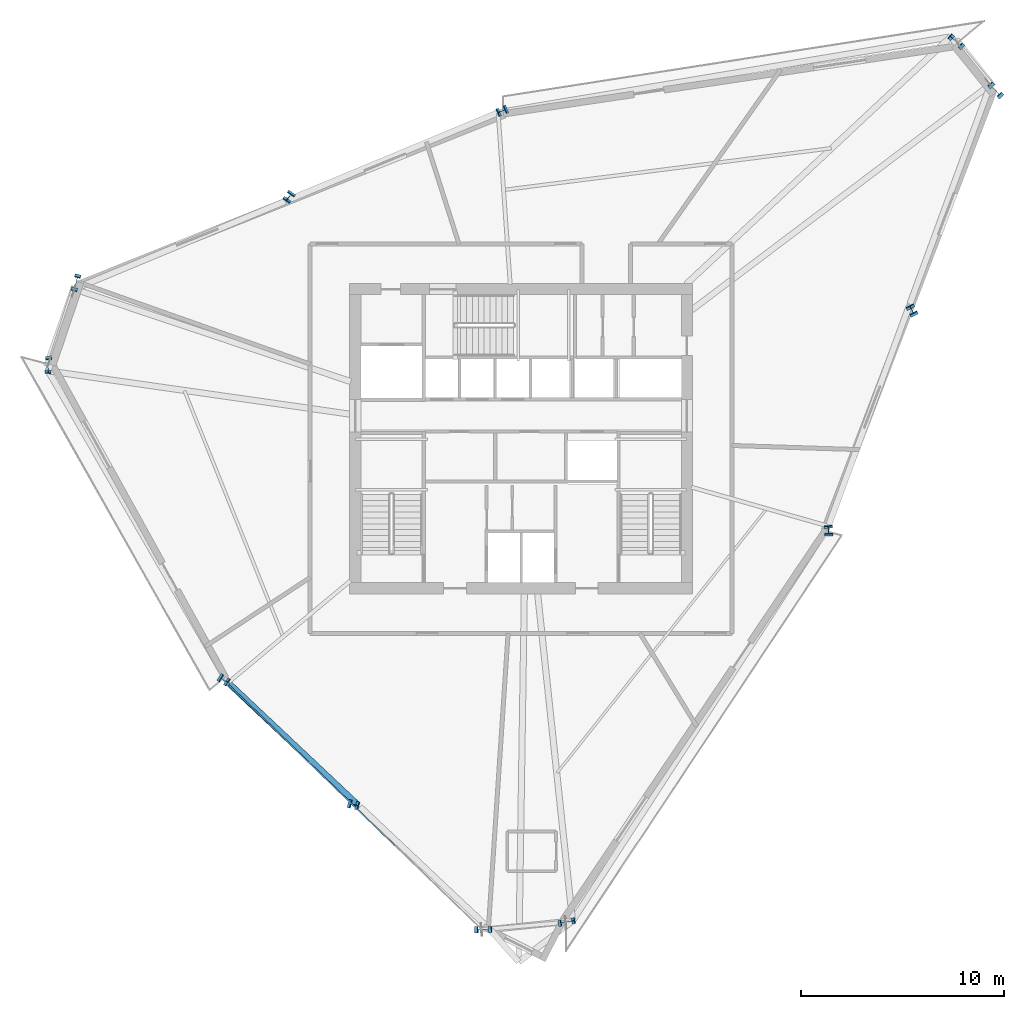
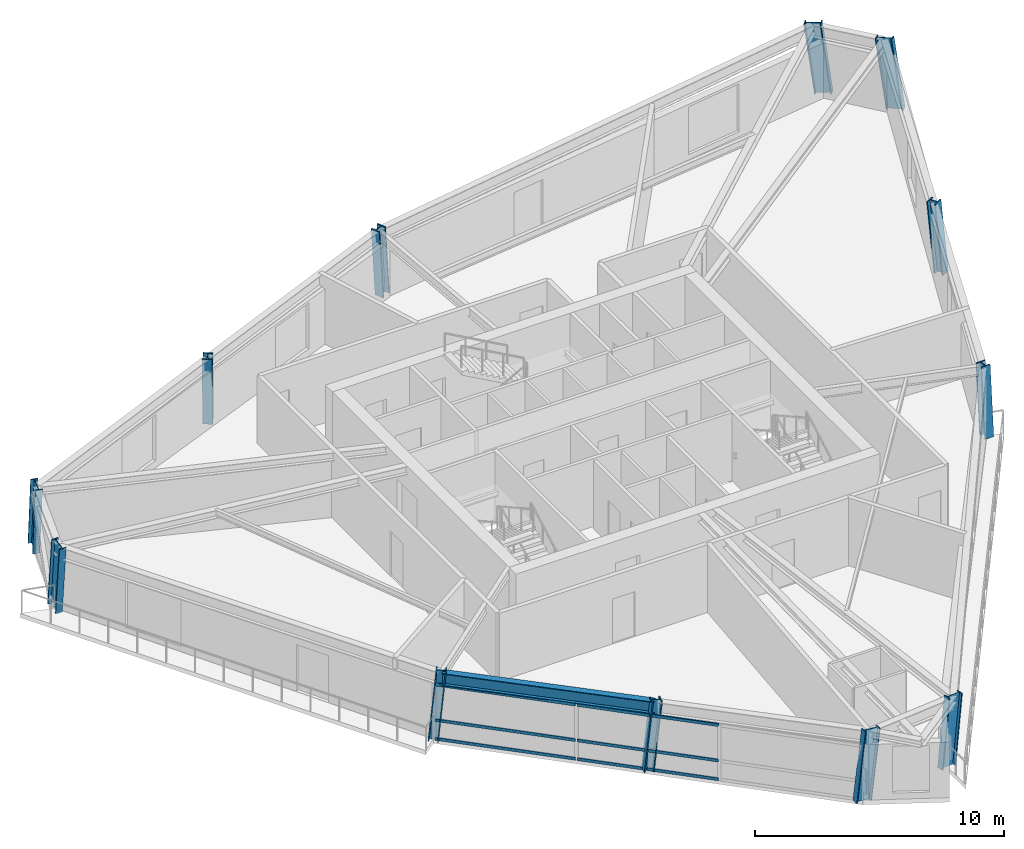
# One storey, part 1 of 13: 12 columns, 6 members, 1 beam, 1 element without a shape of its own.
"""IFC4 building model written with IfcOpenShell, lengths in metres."""

from ifc_helpers import new_model, si_unit, direction, frame, origin, origin_2d, place, context, subcontext, project, spatial, hollow_rectangle, i_section, extrude, source, transform, mapped, material, material_profile, profile_set, type_object, element, aggregate, save


model = new_model("IFC4")

# Units and contexts
model_context = context("Model", 3, precision=1e-05, world=origin(), true_north=direction((0.0, 1.0)))
body_context = subcontext(model_context, "Body", "Model", "MODEL_VIEW")
ifc_project = project(units=[si_unit("LENGTHUNIT", "METRE"), si_unit("AREAUNIT", "SQUARE_METRE"), si_unit("VOLUMEUNIT", "CUBIC_METRE"), si_unit("PLANEANGLEUNIT", "RADIAN"), si_unit("MASSUNIT", "GRAM", prefix="KILO")], contexts=[model_context])

# Site, building, storey
site_placement = place(None, origin())
site = spatial("IfcSite", under=ifc_project, at=site_placement, CompositionType="ELEMENT")
building_placement = place(site_placement, origin())
building = spatial("IfcBuilding", under=site, at=building_placement, Name="Olszyna Solenne Hotel", CompositionType="ELEMENT")
storey_placement = place(building_placement, frame((0.0, 0.0, 192.75)))
storey = spatial("IfcBuildingStorey", under=building, at=storey_placement, Name="L51", CompositionType="ELEMENT", Elevation=192.75)

# Columns
ifc_material_1 = material(Name="Steel S460M", Category="steel")
ifc_material_profile_1 = material_profile(ifc_material_1, i_section(OverallWidth=0.303955078125, OverallDepth=0.716064453125, WebThickness=0.02099609375, FlangeThickness=0.0400390625, at=origin_2d()), Name="HEM 700", Category="load-bearing")
ifc_profile_set_1 = profile_set([ifc_material_profile_1], Name="Steel S460M")
column_type_1 = type_object("IfcColumnType", Name="COL-K2", PredefinedType="COLUMN", material=ifc_profile_set_1)
shared_shape_1 = source(origin(), body_context, "Body", "SweptSolid", [
    extrude(i_section(OverallWidth=0.303955078125, OverallDepth=0.716064453125, WebThickness=0.02099609375, FlangeThickness=0.0400390625, at=origin_2d()), origin(), (0.0, 0.0, 1.0), 3.40380859375),
])
column_1_placement = place(storey_placement, frame((40.186279296875, 2.751220703125, 0.0), z_axis=(0.10306941783, 0.020011390101, 0.994472844966), x_axis=(-0.190595380808, 0.981668681794, 0.0)))
element("IfcColumn", 1, at=column_1_placement, inside=storey, type_object=column_type_1, Name="Perimeter framed-tube column COL-K2 C-L51-10", PredefinedType="COLUMN", context=body_context, shape_type="MappedRepresentation", body=[
    mapped(shared_shape_1, transform((0.0, 0.0, 0.0), x_axis=(1.0, 0.0, 0.0), y_axis=(0.0, 1.0, 0.0), z_axis=(0.0, 0.0, 1.0), scale=1.0)),
])
ifc_material_profile_2 = material_profile(ifc_material_1, i_section(OverallWidth=0.412109375, OverallDepth=0.43505859375, WebThickness=0.031494140625, FlangeThickness=0.050048828125, at=origin_2d()), Name="HD 400x463", Category="load-bearing")
ifc_profile_set_2 = profile_set([ifc_material_profile_2], Name="Steel S460M")
column_type_2 = type_object("IfcColumnType", Name="COL-T3", PredefinedType="COLUMN", material=ifc_profile_set_2)
shared_shape_2 = source(origin(), body_context, "Body", "SweptSolid", [
    extrude(i_section(OverallWidth=0.412109375, OverallDepth=0.43505859375, WebThickness=0.031494140625, FlangeThickness=0.050048828125, at=origin_2d()), origin(), (0.0, 0.0, 1.0), 3.395751953125),
])
column_2_placement = place(storey_placement, frame((53.158447265625, 22.014404296875, 0.0), z_axis=(-0.002875831561, 0.079444846862, 0.9968351147), x_axis=(-0.999345455963, -0.036175401121, 0.0)))
element("IfcColumn", 2, at=column_2_placement, inside=storey, type_object=column_type_2, Name="Perimeter framed-tube column COL-T3 C-L51-11", PredefinedType="COLUMN", context=body_context, shape_type="MappedRepresentation", body=[
    mapped(shared_shape_2, transform((0.0, 0.0, 0.0), x_axis=(1.0, 0.0, 0.0), y_axis=(0.0, 1.0, 0.0), z_axis=(0.0, 0.0, 1.0), scale=1.0)),
])
shared_shape_3 = source(origin(), body_context, "Body", "SweptSolid", [
    extrude(i_section(OverallWidth=0.412109375, OverallDepth=0.43505859375, WebThickness=0.031494140625, FlangeThickness=0.050048828125, at=origin_2d()), origin(), (0.0, 0.0, 1.0), 3.4033203125),
])
column_3_placement = place(storey_placement, frame((57.30908203125, 32.859130859375, 0.0), z_axis=(-0.0480647848, 0.091394829605, 0.994654091423), x_axis=(-0.885068873791, -0.465460082763, 0.0)))
element("IfcColumn", 3, at=column_3_placement, inside=storey, type_object=column_type_2, Name="Perimeter framed-tube column COL-T3 C-L51-12", PredefinedType="COLUMN", context=body_context, shape_type="MappedRepresentation", body=[
    mapped(shared_shape_3, transform((0.0, 0.0, 0.0), x_axis=(1.0, 0.0, 0.0), y_axis=(0.0, 1.0, 0.0), z_axis=(0.0, 0.0, 1.0), scale=1.0)),
])
shared_shape_4 = source(origin(), body_context, "Body", "SweptSolid", [
    extrude(i_section(OverallWidth=0.412109375, OverallDepth=0.43505859375, WebThickness=0.031494140625, FlangeThickness=0.050048828125, at=origin_2d()), origin(), (0.0, 0.0, 1.0), 3.39501953125),
])
column_4_placement = place(storey_placement, frame((37.107666015625, 42.775390625, 0.0), z_axis=(-0.070402711924, -0.029843846219, 0.997072115244), x_axis=(0.390284164377, -0.920694450421, 0.0)))
element("IfcColumn", 4, at=column_4_placement, inside=storey, type_object=column_type_2, Name="Perimeter framed-tube column COL-T3 C-L51-03", PredefinedType="COLUMN", context=body_context, shape_type="MappedRepresentation", body=[
    mapped(shared_shape_4, transform((0.0, 0.0, 0.0), x_axis=(1.0, 0.0, 0.0), y_axis=(0.0, 1.0, 0.0), z_axis=(0.0, 0.0, 1.0), scale=1.0)),
])
shared_shape_5 = source(origin(), body_context, "Body", "SweptSolid", [
    extrude(i_section(OverallWidth=0.412109375, OverallDepth=0.43505859375, WebThickness=0.031494140625, FlangeThickness=0.050048828125, at=origin_2d()), origin(), (0.0, 0.0, 1.0), 3.3974609375),
])
column_5_placement = place(storey_placement, frame((26.59130859375, 38.564208984375, 0.0), z_axis=(-0.049151350366, -0.070205949281, 0.996320866711), x_axis=(0.819192527025, -0.573518616669, 0.0)))
element("IfcColumn", 5, at=column_5_placement, inside=storey, type_object=column_type_2, Name="Perimeter framed-tube column COL-T3 C-L51-04", PredefinedType="COLUMN", context=body_context, shape_type="MappedRepresentation", body=[
    mapped(shared_shape_5, transform((0.0, 0.0, 0.0), x_axis=(1.0, 0.0, 0.0), y_axis=(0.0, 1.0, 0.0), z_axis=(0.0, 0.0, 1.0), scale=1.0)),
])
shared_shape_6 = source(origin(), body_context, "Body", "SweptSolid", [
    extrude(i_section(OverallWidth=0.412109375, OverallDepth=0.43505859375, WebThickness=0.031494140625, FlangeThickness=0.050048828125, at=origin_2d()), origin(), (0.0, 0.0, 1.0), 3.3994140625),
])
column_6_placement = place(storey_placement, frame((23.2919921875, 14.737060546875, 0.0), z_axis=(0.076918881713, -0.050058319845, 0.99577992059), x_axis=(0.545455886295, 0.8381395326, 0.0)))
element("IfcColumn", 6, at=column_6_placement, inside=storey, type_object=column_type_2, Name="Perimeter framed-tube column COL-T3 C-L51-07", PredefinedType="COLUMN", context=body_context, shape_type="MappedRepresentation", body=[
    mapped(shared_shape_6, transform((0.0, 0.0, 0.0), x_axis=(1.0, 0.0, 0.0), y_axis=(0.0, 1.0, 0.0), z_axis=(0.0, 0.0, 1.0), scale=1.0)),
])
shared_shape_7 = source(origin(), body_context, "Body", "SweptSolid", [
    extrude(i_section(OverallWidth=0.303955078125, OverallDepth=0.716064453125, WebThickness=0.02099609375, FlangeThickness=0.0400390625, at=origin_2d()), origin(), (0.0, 0.0, 1.0), 3.41796875),
])
column_7_placement = place(storey_placement, frame((61.4599609375, 43.7041015625, 0.0), z_axis=(-0.092925471989, 0.103067990838, 0.990324111551), x_axis=(-0.742705229141, -0.669618505275, 0.0)))
element("IfcColumn", 7, at=column_7_placement, inside=storey, type_object=column_type_1, Name="Perimeter framed-tube column COL-K2 C-L51-01", PredefinedType="COLUMN", context=body_context, shape_type="MappedRepresentation", body=[
    mapped(shared_shape_7, transform((0.0, 0.0, 0.0), x_axis=(1.0, 0.0, 0.0), y_axis=(0.0, 1.0, 0.0), z_axis=(0.0, 0.0, 1.0), scale=1.0)),
])
shared_shape_8 = source(origin(), body_context, "Body", "SweptSolid", [
    extrude(i_section(OverallWidth=0.303955078125, OverallDepth=0.716064453125, WebThickness=0.02099609375, FlangeThickness=0.0400390625, at=origin_2d()), origin(), (0.0, 0.0, 1.0), 3.41357421875),
])
column_8_placement = place(storey_placement, frame((59.515869140625, 46.11767578125, 0.0), z_axis=(-0.096907652623, 0.085607719697, 0.991604873521), x_axis=(-0.662060560161, -0.749450341703, 0.0)))
element("IfcColumn", 8, at=column_8_placement, inside=storey, type_object=column_type_1, Name="Perimeter framed-tube column COL-K2 C-L51-02", PredefinedType="COLUMN", context=body_context, shape_type="MappedRepresentation", body=[
    mapped(shared_shape_8, transform((0.0, 0.0, 0.0), x_axis=(1.0, 0.0, 0.0), y_axis=(0.0, 1.0, 0.0), z_axis=(0.0, 0.0, 1.0), scale=1.0)),
])
shared_shape_9 = source(origin(), body_context, "Body", "SweptSolid", [
    extrude(i_section(OverallWidth=0.303955078125, OverallDepth=0.716064453125, WebThickness=0.02099609375, FlangeThickness=0.0400390625, at=origin_2d()), origin(), (0.0, 0.0, 1.0), 3.406982421875),
])
column_9_placement = place(storey_placement, frame((16.0751953125, 34.352783203125, 0.0), z_axis=(-0.027945986279, -0.110207504864, 0.993515640402), x_axis=(0.969321399482, -0.245796713783, 0.0)))
element("IfcColumn", 9, at=column_9_placement, inside=storey, type_object=column_type_1, Name="Perimeter framed-tube column COL-K2 C-L51-05", PredefinedType="COLUMN", context=body_context, shape_type="MappedRepresentation", body=[
    mapped(shared_shape_9, transform((0.0, 0.0, 0.0), x_axis=(1.0, 0.0, 0.0), y_axis=(0.0, 1.0, 0.0), z_axis=(0.0, 0.0, 1.0), scale=1.0)),
])
shared_shape_10 = source(origin(), body_context, "Body", "SweptSolid", [
    extrude(i_section(OverallWidth=0.303955078125, OverallDepth=0.716064453125, WebThickness=0.02099609375, FlangeThickness=0.0400390625, at=origin_2d()), origin(), (0.0, 0.0, 1.0), 3.402587890625),
])
column_10_placement = place(storey_placement, frame((14.6982421875, 30.2841796875, 0.0), z_axis=(-0.004376695541, -0.101740234057, 0.994801371787), x_axis=(0.999075993659, -0.042978586469, 0.0)))
element("IfcColumn", 10, at=column_10_placement, inside=storey, type_object=column_type_1, Name="Perimeter framed-tube column COL-K2 C-L51-06", PredefinedType="COLUMN", context=body_context, shape_type="MappedRepresentation", body=[
    mapped(shared_shape_10, transform((0.0, 0.0, 0.0), x_axis=(1.0, 0.0, 0.0), y_axis=(0.0, 1.0, 0.0), z_axis=(0.0, 0.0, 1.0), scale=1.0)),
])
shared_shape_11 = source(origin(), body_context, "Body", "SweptSolid", [
    extrude(i_section(OverallWidth=0.412109375, OverallDepth=0.43505859375, WebThickness=0.031494140625, FlangeThickness=0.050048828125, at=origin_2d()), origin(), (0.0, 0.0, 1.0), 3.40234375),
])
column_11_placement = place(storey_placement, frame((29.67822265625, 8.563720703125, 0.0), z_axis=(0.098303525222, -0.023678951331, 0.994874727889), x_axis=(0.234178050748, 0.972193725832, 0.0)))
element("IfcColumn", 11, at=column_11_placement, inside=storey, type_object=column_type_2, Name="Perimeter framed-tube column COL-T3 C-L51-08", PredefinedType="COLUMN", context=body_context, shape_type="MappedRepresentation", body=[
    mapped(shared_shape_11, transform((0.0, 0.0, 0.0), x_axis=(1.0, 0.0, 0.0), y_axis=(0.0, 1.0, 0.0), z_axis=(0.0, 0.0, 1.0), scale=1.0)),
])
shared_shape_12 = source(origin(), body_context, "Body", "SweptSolid", [
    extrude(i_section(OverallWidth=0.303955078125, OverallDepth=0.716064453125, WebThickness=0.02099609375, FlangeThickness=0.0400390625, at=origin_2d()), origin(), (0.0, 0.0, 1.0), 3.409423828125),
])
column_12_placement = place(storey_placement, frame((36.064453125, 2.390380859375, 0.0), z_axis=(0.119582447406, 0.002649431469, 0.992820738495), x_axis=(-0.022150252792, 0.999754653053, 0.0)))
element("IfcColumn", 12, at=column_12_placement, inside=storey, type_object=column_type_1, Name="Perimeter framed-tube column COL-K2 C-L51-09", PredefinedType="COLUMN", context=body_context, shape_type="MappedRepresentation", body=[
    mapped(shared_shape_12, transform((0.0, 0.0, 0.0), x_axis=(1.0, 0.0, 0.0), y_axis=(0.0, 1.0, 0.0), z_axis=(0.0, 0.0, 1.0), scale=1.0)),
])

# Beam
ifc_material_2 = material(Name="Steel S355J2", Category="steel")
ifc_material_profile_3 = material_profile(ifc_material_2, i_section(OverallWidth=0.300048828125, OverallDepth=0.60009765625, WebThickness=0.015380859375, FlangeThickness=0.030029296875, at=origin_2d()), Name="HEB 600", Category="load-bearing")
ifc_profile_set_3 = profile_set([ifc_material_profile_3], Name="Steel S355J2")
beam_type = type_object("IfcBeamType", Name="BM-S2", PredefinedType="BEAM", material=ifc_profile_set_3)
shared_shape_13 = source(origin(), body_context, "Body", "SweptSolid", [
    extrude(i_section(OverallWidth=0.300048828125, OverallDepth=0.60009765625, WebThickness=0.015380859375, FlangeThickness=0.030029296875, at=origin_2d()), origin(), (0.0, 0.0, 1.0), 8.753173828125),
])
beam_placement = place(storey_placement, frame((23.59716796875, 14.52587890625, 3.030029296875), z_axis=(0.727946102471, -0.685634357291, 0.0), x_axis=(0.685634357291, 0.727946102471, 0.0)))
element("IfcBeam", 13, at=beam_placement, inside=storey, type_object=beam_type, Name="Perimeter spandrel beam BM-S2 B-L51-1518", PredefinedType="BEAM", context=body_context, shape_type="MappedRepresentation", body=[
    mapped(shared_shape_13, transform((0.0, 0.0, 0.0), x_axis=(1.0, 0.0, 0.0), y_axis=(0.0, 1.0, 0.0), z_axis=(0.0, 0.0, 1.0), scale=1.0)),
])

# Curtain wall, members
ifc_material_3 = material(Name="Anodised bronze aluminium", Category="aluminium")
curtain_wall_type = type_object("IfcCurtainWallType", Name="CW-SYS-4", PredefinedType="NOTDEFINED", material=ifc_material_3)
curtain_wall_placement = place(storey_placement, origin())
curtain_wall = element("IfcCurtainWall", 14, at=curtain_wall_placement, inside=storey, type_object=curtain_wall_type, Name="Unitised curtain wall CW-SYS-4 CW-L51-01", PredefinedType="NOTDEFINED")
ifc_material_profile_4 = material_profile(ifc_material_3, hollow_rectangle(XDim=0.06494140625, YDim=0.139892578125, WallThickness=0.00390625, at=origin_2d()), Name="TRAN 140x65x4", Category="load-bearing")
ifc_profile_set_4 = profile_set([ifc_material_profile_4], Name="Anodised bronze aluminium")
member_type = type_object("IfcMemberType", Name="CW-T2", PredefinedType="USERDEFINED", material=ifc_profile_set_4)
shared_shape_14 = source(origin(), body_context, "Body", "SweptSolid", [
    extrude(hollow_rectangle(XDim=0.06494140625, YDim=0.139892578125, WallThickness=0.00390625, at=origin_2d()), origin(), (0.0, 0.0, 1.0), 5.823974609375),
])
member_1_placement = place(storey_placement, frame((23.3388671875, 14.69189453125, 0.032470703125), z_axis=(0.718973712239, -0.695037265986, 0.0), x_axis=(0.695037265986, 0.718973712239, 0.0)))
member_1 = element("IfcMember", 15, at=member_1_placement, type_object=member_type, Name="Curtain-wall transom CW-T2 CT-L51-01-01", ObjectType="TRANSOM", PredefinedType="USERDEFINED", context=body_context, shape_type="MappedRepresentation", body=[
    mapped(shared_shape_14, transform((0.0, 0.0, 0.0), x_axis=(1.0, 0.0, 0.0), y_axis=(0.0, 1.0, 0.0), z_axis=(0.0, 0.0, 1.0), scale=1.0)),
])
member_2_placement = place(storey_placement, frame((23.3388671875, 14.69189453125, 0.949951171875), z_axis=(0.718973712239, -0.695037265986, 0.0), x_axis=(0.695037265986, 0.718973712239, 0.0)))
member_2 = element("IfcMember", 16, at=member_2_placement, type_object=member_type, Name="Curtain-wall transom CW-T2 CT-L51-01-02", ObjectType="TRANSOM", PredefinedType="USERDEFINED", context=body_context, shape_type="MappedRepresentation", body=[
    mapped(shared_shape_14, transform((0.0, 0.0, 0.0), x_axis=(1.0, 0.0, 0.0), y_axis=(0.0, 1.0, 0.0), z_axis=(0.0, 0.0, 1.0), scale=1.0)),
])
member_3_placement = place(storey_placement, frame((23.3388671875, 14.69189453125, 2.689453125), z_axis=(0.718973712239, -0.695037265986, 0.0), x_axis=(0.695037265986, 0.718973712239, 0.0)))
member_3 = element("IfcMember", 17, at=member_3_placement, type_object=member_type, Name="Curtain-wall transom CW-T2 CT-L51-01-03", ObjectType="TRANSOM", PredefinedType="USERDEFINED", context=body_context, shape_type="MappedRepresentation", body=[
    mapped(shared_shape_14, transform((0.0, 0.0, 0.0), x_axis=(1.0, 0.0, 0.0), y_axis=(0.0, 1.0, 0.0), z_axis=(0.0, 0.0, 1.0), scale=1.0)),
])
shared_shape_15 = source(origin(), body_context, "Body", "SweptSolid", [
    extrude(hollow_rectangle(XDim=0.06494140625, YDim=0.139892578125, WallThickness=0.00390625, at=origin_2d()), origin(), (0.0, 0.0, 1.0), 5.8564453125),
])
member_4_placement = place(storey_placement, frame((27.572998046875, 10.598876953125, 0.032470703125), z_axis=(0.718990459241, -0.695019941814, 0.0), x_axis=(0.695019941814, 0.718990459241, 0.0)))
member_4 = element("IfcMember", 18, at=member_4_placement, type_object=member_type, Name="Curtain-wall transom CW-T2 CT-L51-01-04", ObjectType="TRANSOM", PredefinedType="USERDEFINED", context=body_context, shape_type="MappedRepresentation", body=[
    mapped(shared_shape_15, transform((0.0, 0.0, 0.0), x_axis=(1.0, 0.0, 0.0), y_axis=(0.0, 1.0, 0.0), z_axis=(0.0, 0.0, 1.0), scale=1.0)),
])
member_5_placement = place(storey_placement, frame((27.572998046875, 10.598876953125, 0.949951171875), z_axis=(0.718990459241, -0.695019941814, 0.0), x_axis=(0.695019941814, 0.718990459241, 0.0)))
member_5 = element("IfcMember", 19, at=member_5_placement, type_object=member_type, Name="Curtain-wall transom CW-T2 CT-L51-01-05", ObjectType="TRANSOM", PredefinedType="USERDEFINED", context=body_context, shape_type="MappedRepresentation", body=[
    mapped(shared_shape_15, transform((0.0, 0.0, 0.0), x_axis=(1.0, 0.0, 0.0), y_axis=(0.0, 1.0, 0.0), z_axis=(0.0, 0.0, 1.0), scale=1.0)),
])
member_6_placement = place(storey_placement, frame((27.572998046875, 10.598876953125, 2.689453125), z_axis=(0.718990459241, -0.695019941814, 0.0), x_axis=(0.695019941814, 0.718990459241, 0.0)))
member_6 = element("IfcMember", 20, at=member_6_placement, type_object=member_type, Name="Curtain-wall transom CW-T2 CT-L51-01-06", ObjectType="TRANSOM", PredefinedType="USERDEFINED", context=body_context, shape_type="MappedRepresentation", body=[
    mapped(shared_shape_15, transform((0.0, 0.0, 0.0), x_axis=(1.0, 0.0, 0.0), y_axis=(0.0, 1.0, 0.0), z_axis=(0.0, 0.0, 1.0), scale=1.0)),
])
aggregate(curtain_wall, [member_1, member_2, member_3, member_4, member_5, member_6])

save(model, "model.ifc")
